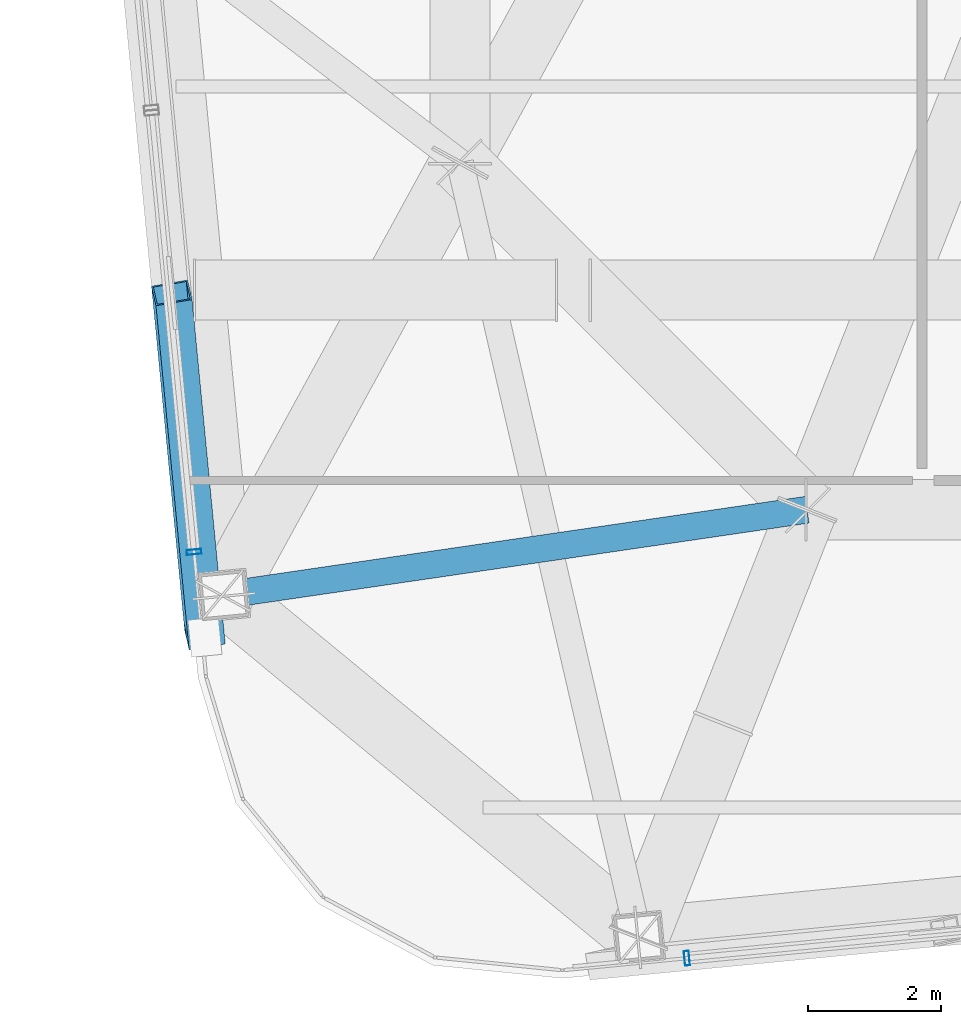
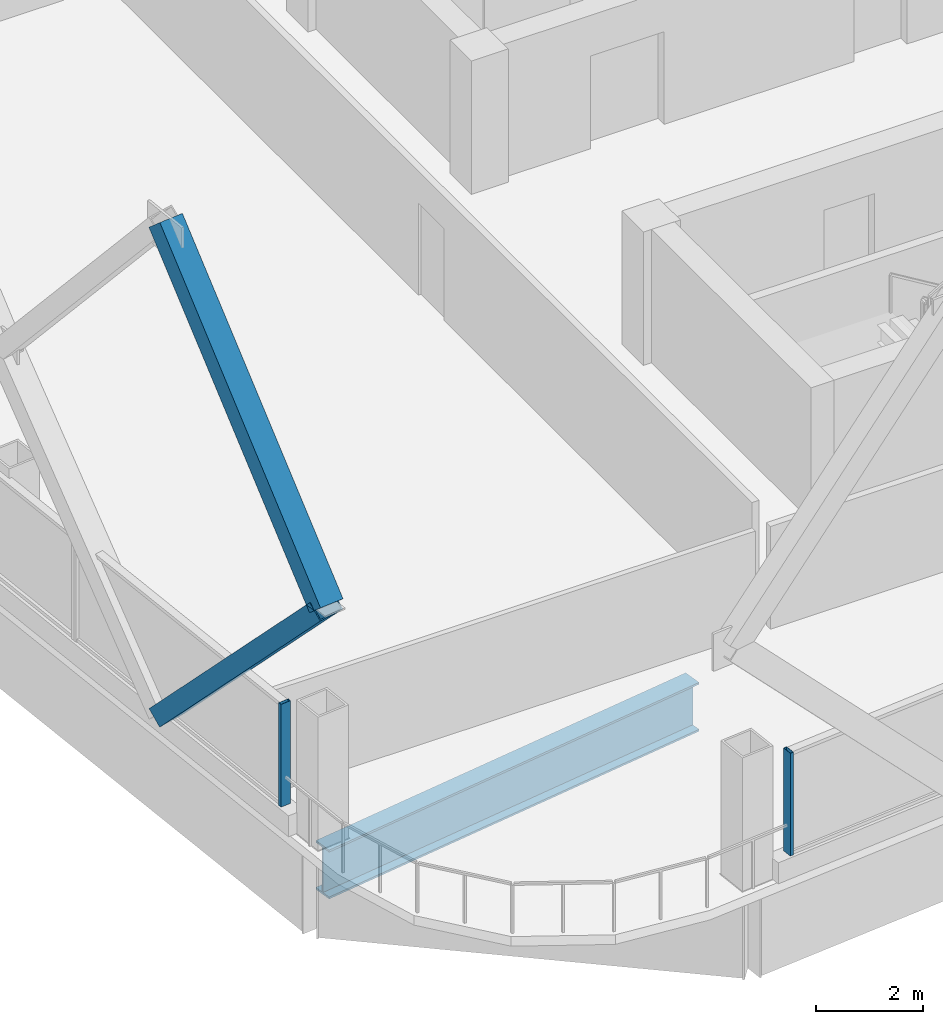
# One storey, part 2 of 37: 4 members, 1 beam, 2 elements without a shape of their own.
"""IFC4 building model written with IfcOpenShell, lengths in metres."""

from ifc_helpers import new_model, si_unit, direction, frame, origin, origin_2d, place, context, subcontext, project, spatial, hollow_rectangle, i_section, extrude, material, layer, layer_set, material_profile, profile_set, type_object, element, aggregate, save


model = new_model("IFC4")

# Units and contexts
model_context = context("Model", 3, precision=1e-05, world=origin(), true_north=direction((0.0, 1.0)))
body_context = subcontext(model_context, "Body", "Model", "MODEL_VIEW")
ifc_project = project(units=[si_unit("LENGTHUNIT", "METRE"), si_unit("AREAUNIT", "SQUARE_METRE"), si_unit("VOLUMEUNIT", "CUBIC_METRE"), si_unit("PLANEANGLEUNIT", "RADIAN"), si_unit("MASSUNIT", "GRAM", prefix="KILO")], contexts=[model_context])

# Site, building, storey
site_placement = place(None, origin())
site = spatial("IfcSite", under=ifc_project, at=site_placement, CompositionType="ELEMENT")
building_placement = place(site_placement, origin())
building = spatial("IfcBuilding", under=site, at=building_placement, Name="Qhalaya Broadcast Tower", CompositionType="ELEMENT")
storey_placement = place(building_placement, frame((0.0, 0.0, 156.14990234375)))
storey = spatial("IfcBuildingStorey", under=building, at=storey_placement, Name="L45", CompositionType="ELEMENT", Elevation=156.14990234375)

# Members
ifc_material_1 = material(Name="Structural Steel ASTM A572 Grade 50", Category="steel")
ifc_material_profile_1 = material_profile(ifc_material_1, hollow_rectangle(XDim=0.39990234375, YDim=0.550048828125, WallThickness=0.02490234375, at=origin_2d()), Name="BOX 400x550x25")
ifc_profile_set_1 = profile_set([ifc_material_profile_1], Name="Structural Steel ASTM A572 Grade 50")
member_type_1 = type_object("IfcMemberType", Name="Exoskeleton Diamond Diagonal Mid-High EX3", PredefinedType="BRACE", material=ifc_profile_set_1)
member_1_placement = place(storey_placement, frame((-23.439697265625, -8.790771484375, 0.360107421875), z_axis=(0.066471790064, -0.690633401879, 0.720143739356), x_axis=(-0.164080506111, 0.704348539744, 0.690630669805)))
element("IfcMember", 1, at=member_1_placement, inside=storey, type_object=member_type_1, Name="B4 Exoskeleton Diamond Brace W3-D2", PredefinedType="BRACE", context=body_context, shape_type="SweptSolid", body=[
    extrude(hollow_rectangle(XDim=0.39990234375, YDim=0.550048828125, WallThickness=0.02490234375, at=origin_2d()), origin(), (0.0, 0.0, 1.0), 7.470458984375),
])
member_2_placement = place(storey_placement, frame((-22.943115234375, -13.9501953125, 5.739990234375), z_axis=(-0.063473153323, 0.659477949445, 0.749039380142), x_axis=(0.166836103717, -0.732978846634, 0.659475340619)))
element("IfcMember", 2, at=member_2_placement, inside=storey, type_object=member_type_1, Name="B4 Exoskeleton Diamond Brace W3-D4", PredefinedType="BRACE", context=body_context, shape_type="SweptSolid", body=[
    extrude(hollow_rectangle(XDim=0.39990234375, YDim=0.550048828125, WallThickness=0.02490234375, at=origin_2d()), origin(), (0.0, 0.0, 1.0), 7.823486328125),
])

# Beam
ifc_material_2 = material(Name="Structural Steel ASTM A992 Grade 50", Category="steel")
ifc_material_profile_2 = material_profile(ifc_material_2, i_section(OverallWidth=0.404052734375, OverallDepth=1.117919921875, WebThickness=0.026123046875, FlangeThickness=0.044921875, at=origin_2d()), Name="W44X335")
ifc_profile_set_2 = profile_set([ifc_material_profile_2], Name="Structural Steel ASTM A992 Grade 50")
beam_type = type_object("IfcBeamType", Name="Podium Long-Span Primary Girder PG1", PredefinedType="USERDEFINED", material=ifc_profile_set_2)
beam_placement = place(storey_placement, frame((-13.919921875, -12.0400390625, -0.77880859375), z_axis=(-0.989445995568, -0.144902111281, 0.0), x_axis=(0.144902111281, -0.989445995568, 0.0)))
element("IfcBeam", 3, at=beam_placement, inside=storey, type_object=beam_type, Name="L45 Column-to-Column Moment Tie Girder 16-2", ObjectType="GIRDER", PredefinedType="USERDEFINED", context=body_context, shape_type="SweptSolid", body=[
    extrude(i_section(OverallWidth=0.404052734375, OverallDepth=1.117919921875, WebThickness=0.026123046875, FlangeThickness=0.044921875, at=origin_2d()), origin(), (0.0, 0.0, 1.0), 8.83544921875),
])

# Curtain wall, member
ifc_material_3 = material(Name="Fired Architectural Terracotta", Category="masonry")
ifc_layer = layer(ifc_material_3, 0.219970703125, Name="Fired Architectural Terracotta")
ifc_layer_set = layer_set([ifc_layer], Name="Fired Architectural Terracotta")
curtain_wall_type = type_object("IfcCurtainWallType", Name="Block-Cap Unitised Terracotta Spandrel Wall CW-07", PredefinedType="NOTDEFINED", material=ifc_layer_set)
curtain_wall_1_placement = place(storey_placement, origin())
curtain_wall_1 = element("IfcCurtainWall", 4, at=curtain_wall_1_placement, inside=storey, type_object=curtain_wall_type, Name="L45 Unitised Curtain Wall L45-CW-S1", PredefinedType="NOTDEFINED")
ifc_material_4 = material(Name="Anodised Aluminium 6063-T6", Category="aluminium")
ifc_material_profile_3 = material_profile(ifc_material_4, hollow_rectangle(XDim=0.074951171875, YDim=0.219970703125, WallThickness=0.00390625, at=origin_2d()), Name="ALU-MUL 75x220x4")
ifc_profile_set_3 = profile_set([ifc_material_profile_3], Name="Anodised Aluminium 6063-T6")
member_type_2 = type_object("IfcMemberType", Name="Unitised Curtain-Wall Mullion M01", PredefinedType="MULLION", material=ifc_profile_set_3)
member_3_placement = place(storey_placement, frame((-15.72119140625, -18.76025390625, 0.47998046875), z_axis=(0.0, 0.0, 1.0), x_axis=(0.99539669829, 0.095840560477, 0.0)))
member_3 = element("IfcMember", 5, at=member_3_placement, type_object=member_type_2, Name="CW-07 mullion 1", PredefinedType="MULLION", context=body_context, shape_type="SweptSolid", body=[
    extrude(hollow_rectangle(XDim=0.074951171875, YDim=0.219970703125, WallThickness=0.00390625, at=origin_2d()), origin(), (0.0, 0.0, 1.0), 2.35009765625),
])
aggregate(curtain_wall_1, [member_3])

curtain_wall_2_placement = place(storey_placement, origin())
curtain_wall_2 = element("IfcCurtainWall", 6, at=curtain_wall_2_placement, inside=storey, type_object=curtain_wall_type, Name="L45 Unitised Curtain Wall L45-CW-W5", PredefinedType="NOTDEFINED")
member_4_placement = place(storey_placement, frame((-23.106201171875, -12.67236328125, 0.47998046875), z_axis=(0.0, 0.0, 1.0), x_axis=(0.095842362816, -0.995396524753, 0.0)))
member_4 = element("IfcMember", 7, at=member_4_placement, type_object=member_type_2, Name="CW-07 mullion 2", PredefinedType="MULLION", context=body_context, shape_type="SweptSolid", body=[
    extrude(hollow_rectangle(XDim=0.074951171875, YDim=0.219970703125, WallThickness=0.00390625, at=origin_2d()), origin(), (0.0, 0.0, 1.0), 2.35009765625),
])
aggregate(curtain_wall_2, [member_4])

save(model, "model.ifc")
